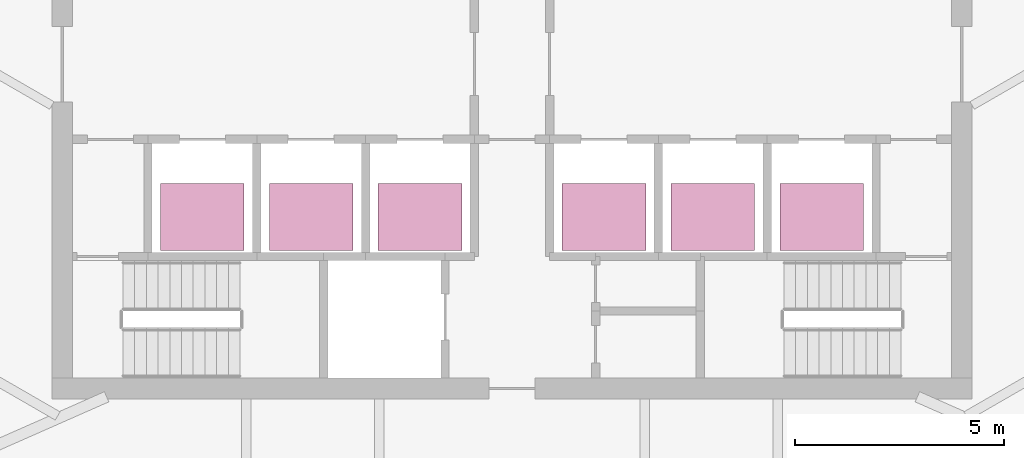
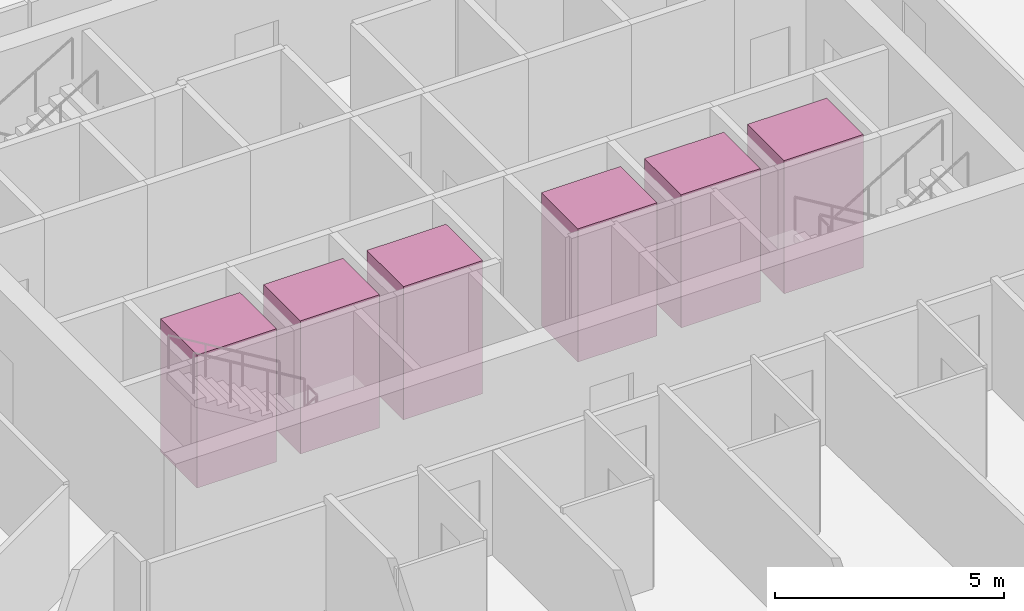
# One storey, part 24 of 24: 6 transport elements.
"""IFC4 building model written with IfcOpenShell, lengths in metres."""

from ifc_helpers import new_model, si_unit, direction, frame, origin, origin_2d, place, context, subcontext, project, spatial, rectangle, extrude, material, type_object, element, save


model = new_model("IFC4")

# Units and contexts
model_context = context("Model", 3, precision=1e-05, world=origin(), true_north=direction((0.0, 1.0)))
body_context = subcontext(model_context, "Body", "Model", "MODEL_VIEW")
ifc_project = project(units=[si_unit("LENGTHUNIT", "METRE"), si_unit("AREAUNIT", "SQUARE_METRE"), si_unit("VOLUMEUNIT", "CUBIC_METRE"), si_unit("PLANEANGLEUNIT", "RADIAN"), si_unit("MASSUNIT", "GRAM", prefix="KILO")], contexts=[model_context])

# Site, building, storey
site_placement = place(None, origin())
site = spatial("IfcSite", under=ifc_project, at=site_placement, CompositionType="ELEMENT")
building_placement = place(site_placement, origin())
building = spatial("IfcBuilding", under=site, at=building_placement, Name="Sierra Prisma Convention Tower", CompositionType="ELEMENT")
storey_placement = place(building_placement, frame((0.0, 0.0, 55.39990234375)))
storey = spatial("IfcBuildingStorey", under=building, at=storey_placement, Name="L09", CompositionType="ELEMENT", Elevation=55.39990234375)

# Transport elements
ifc_material = material(Name="Stainless steel", Category="steel")
transport_element_type = type_object("IfcTransportElementType", Name="Lift car hotel 2000x1600 1600 kg", PredefinedType="ELEVATOR", material=ifc_material)
for number, where, z_axis, x_axis, name in (
    (1, (-7.39990234375, -3.64990234375, 0.0), (0.0, 0.0, 1.0), (1.0, 0.0, 0.0), "Lift HT1"),
    (2, (-4.800048828125, -3.64990234375, 0.0), (0.0, 0.0, 1.0), (1.0, 0.0, 0.0), "Lift HT2"),
    (3, (-2.199951171875, -3.64990234375, 0.0), (0.0, 0.0, 1.0), (1.0, 0.0, 0.0), "Lift HT3"),
    (4, (2.199951171875, -3.64990234375, 0.0), (0.0, 0.0, 1.0), (1.0, 0.0, 0.0), "Lift HT4"),
    (5, (4.800048828125, -3.64990234375, 0.0), (0.0, 0.0, 1.0), (1.0, 0.0, 0.0), "Lift HT5"),
    (6, (7.39990234375, -3.64990234375, 0.0), (0.0, 0.0, 1.0), (1.0, 0.0, 0.0), "Lift HT6"),
):
    element("IfcTransportElement", number, at=place(storey_placement, frame(where, z_axis=z_axis, x_axis=x_axis)), inside=storey, type_object=transport_element_type, Name=name, PredefinedType="ELEVATOR", context=body_context, shape_type="SweptSolid", body=[
        extrude(rectangle(XDim=2.0, YDim=1.60009765625, at=origin_2d()), origin(), (0.0, 0.0, 1.0), 3.550048828125),
    ])

save(model, "model.ifc")
